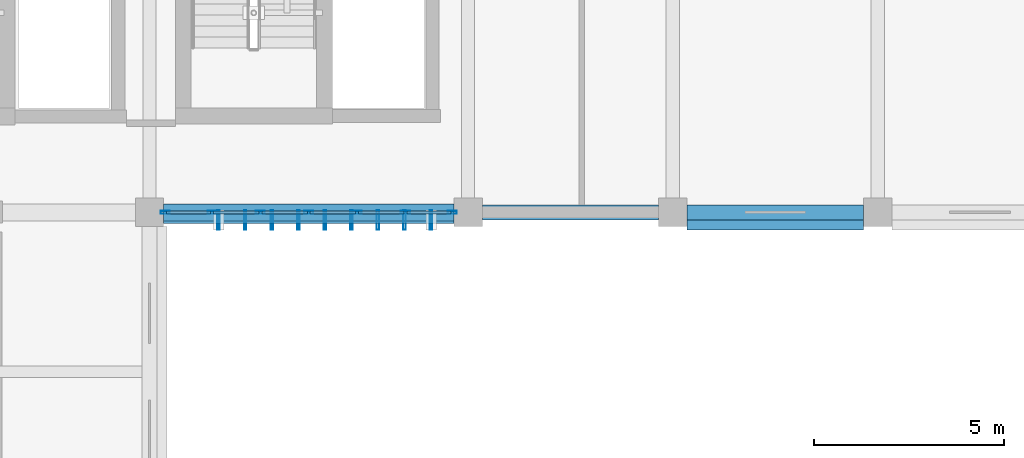
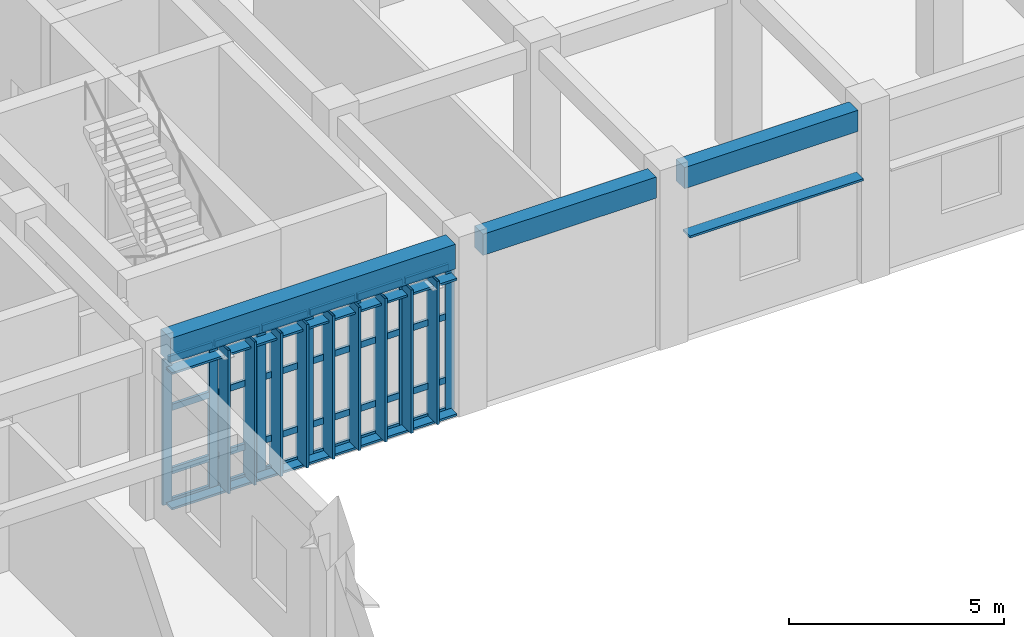
# One storey, part 48 of 93: 43 members, 3 beams, 1 element without a shape of its own.
"""IFC4 building model written with IfcOpenShell, lengths in metres."""

from ifc_helpers import new_model, si_unit, direction, frame, origin, origin_2d, place, context, subcontext, project, spatial, rectangle, hollow_rectangle, extrude, material, layer, layer_set, material_profile, profile_set, type_object, element, aggregate, save


model = new_model("IFC4")

# Units and contexts
model_context = context("Model", 3, precision=1e-05, world=origin(), true_north=direction((0.0, 1.0)))
body_context = subcontext(model_context, "Body", "Model", "MODEL_VIEW")
ifc_project = project(units=[si_unit("LENGTHUNIT", "METRE"), si_unit("AREAUNIT", "SQUARE_METRE"), si_unit("VOLUMEUNIT", "CUBIC_METRE"), si_unit("PLANEANGLEUNIT", "RADIAN"), si_unit("MASSUNIT", "GRAM", prefix="KILO")], contexts=[model_context])

# Site, building, storey
site_placement = place(None, origin())
site = spatial("IfcSite", under=ifc_project, at=site_placement, CompositionType="ELEMENT")
building_placement = place(site_placement, origin())
building = spatial("IfcBuilding", under=site, at=building_placement, Name="Krzemoval Escarpment Law Courts", CompositionType="ELEMENT")
storey_placement = place(building_placement, frame((0.0, 0.0, 10.199951171875)))
storey = spatial("IfcBuildingStorey", under=building, at=storey_placement, Name="L02", CompositionType="ELEMENT", Elevation=10.199951171875)

# Beams
ifc_material_1 = material(Name="Concrete C40/50", Category="concrete")
ifc_material_profile_1 = material_profile(ifc_material_1, rectangle(XDim=0.39990234375, YDim=0.60009765625, at=origin_2d()), Name="RCB 400x600")
ifc_profile_set_1 = profile_set([ifc_material_profile_1], Name="Concrete C40/50")
beam_type_1 = type_object("IfcBeamType", Name="BM-RC-400x600", PredefinedType="BEAM", material=ifc_profile_set_1)
beam_1_placement = place(storey_placement, frame((151.574951171875, 93.60009765625, 4.52001953125), z_axis=(1.0, 0.0, 0.0), x_axis=(0.0, 1.0, 0.0)))
element("IfcBeam", 1, at=beam_1_placement, inside=storey, type_object=beam_type_1, Name="Beam FG-L02-1815", PredefinedType="BEAM", context=body_context, shape_type="SweptSolid", body=[
    extrude(rectangle(XDim=0.39990234375, YDim=0.60009765625, at=origin_2d()), origin(), (0.0, 0.0, 1.0), 4.650146484375),
])
beam_2_placement = place(storey_placement, frame((156.97509765625, 93.60009765625, 4.52001953125), z_axis=(1.0, 0.0, 0.0), x_axis=(0.0, 1.0, 0.0)))
element("IfcBeam", 2, at=beam_2_placement, inside=storey, type_object=beam_type_1, Name="Beam FG-L02-1816", PredefinedType="BEAM", context=body_context, shape_type="SweptSolid", body=[
    extrude(rectangle(XDim=0.39990234375, YDim=0.60009765625, at=origin_2d()), origin(), (0.0, 0.0, 1.0), 4.64990234375),
])
ifc_material_2 = material(Name="Concrete C40/50", Category="concrete")
ifc_material_profile_2 = material_profile(ifc_material_2, rectangle(XDim=0.449951171875, YDim=0.699951171875, at=origin_2d()), Name="RCB 450x700")
ifc_profile_set_2 = profile_set([ifc_material_profile_2], Name="Concrete C40/50")
beam_type_2 = type_object("IfcBeamType", Name="BM-RC-450x700", PredefinedType="BEAM", material=ifc_profile_set_2)
beam_3_placement = place(storey_placement, frame((143.175048828125, 93.60009765625, 4.469970703125), z_axis=(1.0, 0.0, 0.0), x_axis=(0.0, 1.0, 0.0)))
element("IfcBeam", 3, at=beam_3_placement, inside=storey, type_object=beam_type_2, Name="Beam FG-L02-1814", PredefinedType="BEAM", context=body_context, shape_type="SweptSolid", body=[
    extrude(rectangle(XDim=0.449951171875, YDim=0.699951171875, at=origin_2d()), origin(), (0.0, 0.0, 1.0), 7.64990234375),
])

# Curtain wall, members
ifc_material_3 = material(Name="Aluminium 6063-T6", Category="aluminium")
ifc_layer = layer(ifc_material_3, 0.239990234375)
ifc_layer_set = layer_set([ifc_layer], Name="Aluminium 6063-T6")
curtain_wall_type = type_object("IfcCurtainWallType", Name="CW-CHMB-4800", PredefinedType="USERDEFINED", material=ifc_layer_set)
curtain_wall_placement = place(storey_placement, origin())
curtain_wall = element("IfcCurtainWall", 4, at=curtain_wall_placement, inside=storey, type_object=curtain_wall_type, Name="Unitised Curtain Wall FCW-L02-093", ObjectType="UNITISED_CURTAIN_WALL", PredefinedType="USERDEFINED")
ifc_material_4 = material(Name="Aluminium 6063-T6", Category="aluminium")
ifc_material_profile_3 = material_profile(ifc_material_4, hollow_rectangle(XDim=0.074951171875, YDim=0.239990234375, WallThickness=0.0048828125, at=origin_2d()), Name="ALU M75x240")
ifc_profile_set_3 = profile_set([ifc_material_profile_3], Name="Aluminium 6063-T6")
member_type_1 = type_object("IfcMemberType", Name="CWM-75x240", PredefinedType="MULLION", material=ifc_profile_set_3)
member_1_placement = place(storey_placement, frame((150.78759765625, 93.60009765625, 0.0), z_axis=(0.0, 0.0, 1.0), x_axis=(0.0, -1.0, 0.0)))
member_1 = element("IfcMember", 5, at=member_1_placement, type_object=member_type_1, Name="FCW-L02-093 mullion 1", PredefinedType="MULLION", context=body_context, shape_type="SweptSolid", body=[
    extrude(hollow_rectangle(XDim=0.074951171875, YDim=0.239990234375, WallThickness=0.0048828125, at=origin_2d()), origin(), (0.0, 0.0, 1.0), 4.1201171875),
])
member_2_placement = place(storey_placement, frame((149.550048828125, 93.60009765625, 0.0), z_axis=(0.0, 0.0, 1.0), x_axis=(0.0, -1.0, 0.0)))
member_2 = element("IfcMember", 6, at=member_2_placement, type_object=member_type_1, Name="FCW-L02-093 mullion 2", PredefinedType="MULLION", context=body_context, shape_type="SweptSolid", body=[
    extrude(hollow_rectangle(XDim=0.074951171875, YDim=0.239990234375, WallThickness=0.0048828125, at=origin_2d()), origin(), (0.0, 0.0, 1.0), 4.1201171875),
])
member_3_placement = place(storey_placement, frame((148.27490234375, 93.60009765625, 0.0), z_axis=(0.0, 0.0, 1.0), x_axis=(0.0, -1.0, 0.0)))
member_3 = element("IfcMember", 7, at=member_3_placement, type_object=member_type_1, Name="FCW-L02-093 mullion 3", PredefinedType="MULLION", context=body_context, shape_type="SweptSolid", body=[
    extrude(hollow_rectangle(XDim=0.074951171875, YDim=0.239990234375, WallThickness=0.0048828125, at=origin_2d()), origin(), (0.0, 0.0, 1.0), 4.1201171875),
])
member_4_placement = place(storey_placement, frame((147.0, 93.60009765625, 0.0), z_axis=(0.0, 0.0, 1.0), x_axis=(0.0, -1.0, 0.0)))
member_4 = element("IfcMember", 8, at=member_4_placement, type_object=member_type_1, Name="FCW-L02-093 mullion 4", PredefinedType="MULLION", context=body_context, shape_type="SweptSolid", body=[
    extrude(hollow_rectangle(XDim=0.074951171875, YDim=0.239990234375, WallThickness=0.0048828125, at=origin_2d()), origin(), (0.0, 0.0, 1.0), 4.1201171875),
])
member_5_placement = place(storey_placement, frame((145.72509765625, 93.60009765625, 0.0), z_axis=(0.0, 0.0, 1.0), x_axis=(0.0, -1.0, 0.0)))
member_5 = element("IfcMember", 9, at=member_5_placement, type_object=member_type_1, Name="FCW-L02-093 mullion 5", PredefinedType="MULLION", context=body_context, shape_type="SweptSolid", body=[
    extrude(hollow_rectangle(XDim=0.074951171875, YDim=0.239990234375, WallThickness=0.0048828125, at=origin_2d()), origin(), (0.0, 0.0, 1.0), 4.1201171875),
])
member_6_placement = place(storey_placement, frame((144.449951171875, 93.60009765625, 0.0), z_axis=(0.0, 0.0, 1.0), x_axis=(0.0, -1.0, 0.0)))
member_6 = element("IfcMember", 10, at=member_6_placement, type_object=member_type_1, Name="FCW-L02-093 mullion 6", PredefinedType="MULLION", context=body_context, shape_type="SweptSolid", body=[
    extrude(hollow_rectangle(XDim=0.074951171875, YDim=0.239990234375, WallThickness=0.0048828125, at=origin_2d()), origin(), (0.0, 0.0, 1.0), 4.1201171875),
])
member_7_placement = place(storey_placement, frame((143.21240234375, 93.60009765625, 0.0), z_axis=(0.0, 0.0, 1.0), x_axis=(0.0, -1.0, 0.0)))
member_7 = element("IfcMember", 11, at=member_7_placement, type_object=member_type_1, Name="FCW-L02-093 mullion 7", PredefinedType="MULLION", context=body_context, shape_type="SweptSolid", body=[
    extrude(hollow_rectangle(XDim=0.074951171875, YDim=0.239990234375, WallThickness=0.0048828125, at=origin_2d()), origin(), (0.0, 0.0, 1.0), 4.1201171875),
])
ifc_material_5 = material(Name="Aluminium 6063-T6", Category="aluminium")
ifc_material_profile_4 = material_profile(ifc_material_5, hollow_rectangle(XDim=0.074951171875, YDim=0.179931640625, WallThickness=0.0048828125, at=origin_2d()), Name="ALU T75x180")
ifc_profile_set_4 = profile_set([ifc_material_profile_4], Name="Aluminium 6063-T6")
member_type_2 = type_object("IfcMemberType", Name="CWT-75x180", PredefinedType="USERDEFINED", material=ifc_profile_set_4)
member_8_placement = place(storey_placement, frame((150.75, 93.60009765625, 0.03759765625), z_axis=(-1.0, 0.0, 0.0), x_axis=(0.0, -1.0, 0.0)))
member_8 = element("IfcMember", 12, at=member_8_placement, type_object=member_type_2, Name="FCW-L02-093 transom 1.1", ObjectType="TRANSOM", PredefinedType="USERDEFINED", context=body_context, shape_type="SweptSolid", body=[
    extrude(hollow_rectangle(XDim=0.074951171875, YDim=0.179931640625, WallThickness=0.0048828125, at=origin_2d()), origin(), (0.0, 0.0, 1.0), 1.16259765625),
])
member_9_placement = place(storey_placement, frame((150.75, 93.60009765625, 0.900146484375), z_axis=(-1.0, 0.0, 0.0), x_axis=(0.0, -1.0, 0.0)))
member_9 = element("IfcMember", 13, at=member_9_placement, type_object=member_type_2, Name="FCW-L02-093 transom 1.2", ObjectType="TRANSOM", PredefinedType="USERDEFINED", context=body_context, shape_type="SweptSolid", body=[
    extrude(hollow_rectangle(XDim=0.074951171875, YDim=0.179931640625, WallThickness=0.0048828125, at=origin_2d()), origin(), (0.0, 0.0, 1.0), 1.16259765625),
])
member_10_placement = place(storey_placement, frame((150.75, 93.60009765625, 2.699951171875), z_axis=(-1.0, 0.0, 0.0), x_axis=(0.0, -1.0, 0.0)))
member_10 = element("IfcMember", 14, at=member_10_placement, type_object=member_type_2, Name="FCW-L02-093 transom 1.3", ObjectType="TRANSOM", PredefinedType="USERDEFINED", context=body_context, shape_type="SweptSolid", body=[
    extrude(hollow_rectangle(XDim=0.074951171875, YDim=0.179931640625, WallThickness=0.0048828125, at=origin_2d()), origin(), (0.0, 0.0, 1.0), 1.16259765625),
])
member_11_placement = place(storey_placement, frame((150.75, 93.60009765625, 4.08251953125), z_axis=(-1.0, 0.0, 0.0), x_axis=(0.0, -1.0, 0.0)))
member_11 = element("IfcMember", 15, at=member_11_placement, type_object=member_type_2, Name="FCW-L02-093 transom 1.4", ObjectType="TRANSOM", PredefinedType="USERDEFINED", context=body_context, shape_type="SweptSolid", body=[
    extrude(hollow_rectangle(XDim=0.074951171875, YDim=0.179931640625, WallThickness=0.0048828125, at=origin_2d()), origin(), (0.0, 0.0, 1.0), 1.16259765625),
])
member_12_placement = place(storey_placement, frame((149.512451171875, 93.60009765625, 0.03759765625), z_axis=(-1.0, 0.0, 0.0), x_axis=(0.0, -1.0, 0.0)))
member_12 = element("IfcMember", 16, at=member_12_placement, type_object=member_type_2, Name="FCW-L02-093 transom 2.1", ObjectType="TRANSOM", PredefinedType="USERDEFINED", context=body_context, shape_type="SweptSolid", body=[
    extrude(hollow_rectangle(XDim=0.074951171875, YDim=0.179931640625, WallThickness=0.0048828125, at=origin_2d()), origin(), (0.0, 0.0, 1.0), 1.199951171875),
])
member_13_placement = place(storey_placement, frame((149.512451171875, 93.60009765625, 0.900146484375), z_axis=(-1.0, 0.0, 0.0), x_axis=(0.0, -1.0, 0.0)))
member_13 = element("IfcMember", 17, at=member_13_placement, type_object=member_type_2, Name="FCW-L02-093 transom 2.2", ObjectType="TRANSOM", PredefinedType="USERDEFINED", context=body_context, shape_type="SweptSolid", body=[
    extrude(hollow_rectangle(XDim=0.074951171875, YDim=0.179931640625, WallThickness=0.0048828125, at=origin_2d()), origin(), (0.0, 0.0, 1.0), 1.199951171875),
])
member_14_placement = place(storey_placement, frame((149.512451171875, 93.60009765625, 2.699951171875), z_axis=(-1.0, 0.0, 0.0), x_axis=(0.0, -1.0, 0.0)))
member_14 = element("IfcMember", 18, at=member_14_placement, type_object=member_type_2, Name="FCW-L02-093 transom 2.3", ObjectType="TRANSOM", PredefinedType="USERDEFINED", context=body_context, shape_type="SweptSolid", body=[
    extrude(hollow_rectangle(XDim=0.074951171875, YDim=0.179931640625, WallThickness=0.0048828125, at=origin_2d()), origin(), (0.0, 0.0, 1.0), 1.199951171875),
])
member_15_placement = place(storey_placement, frame((149.512451171875, 93.60009765625, 4.08251953125), z_axis=(-1.0, 0.0, 0.0), x_axis=(0.0, -1.0, 0.0)))
member_15 = element("IfcMember", 19, at=member_15_placement, type_object=member_type_2, Name="FCW-L02-093 transom 2.4", ObjectType="TRANSOM", PredefinedType="USERDEFINED", context=body_context, shape_type="SweptSolid", body=[
    extrude(hollow_rectangle(XDim=0.074951171875, YDim=0.179931640625, WallThickness=0.0048828125, at=origin_2d()), origin(), (0.0, 0.0, 1.0), 1.199951171875),
])
member_16_placement = place(storey_placement, frame((148.237548828125, 93.60009765625, 0.03759765625), z_axis=(-1.0, 0.0, 0.0), x_axis=(0.0, -1.0, 0.0)))
member_16 = element("IfcMember", 20, at=member_16_placement, type_object=member_type_2, Name="FCW-L02-093 transom 3.1", ObjectType="TRANSOM", PredefinedType="USERDEFINED", context=body_context, shape_type="SweptSolid", body=[
    extrude(hollow_rectangle(XDim=0.074951171875, YDim=0.179931640625, WallThickness=0.0048828125, at=origin_2d()), origin(), (0.0, 0.0, 1.0), 1.199951171875),
])
member_17_placement = place(storey_placement, frame((148.237548828125, 93.60009765625, 0.900146484375), z_axis=(-1.0, 0.0, 0.0), x_axis=(0.0, -1.0, 0.0)))
member_17 = element("IfcMember", 21, at=member_17_placement, type_object=member_type_2, Name="FCW-L02-093 transom 3.2", ObjectType="TRANSOM", PredefinedType="USERDEFINED", context=body_context, shape_type="SweptSolid", body=[
    extrude(hollow_rectangle(XDim=0.074951171875, YDim=0.179931640625, WallThickness=0.0048828125, at=origin_2d()), origin(), (0.0, 0.0, 1.0), 1.199951171875),
])
member_18_placement = place(storey_placement, frame((148.237548828125, 93.60009765625, 2.699951171875), z_axis=(-1.0, 0.0, 0.0), x_axis=(0.0, -1.0, 0.0)))
member_18 = element("IfcMember", 22, at=member_18_placement, type_object=member_type_2, Name="FCW-L02-093 transom 3.3", ObjectType="TRANSOM", PredefinedType="USERDEFINED", context=body_context, shape_type="SweptSolid", body=[
    extrude(hollow_rectangle(XDim=0.074951171875, YDim=0.179931640625, WallThickness=0.0048828125, at=origin_2d()), origin(), (0.0, 0.0, 1.0), 1.199951171875),
])
member_19_placement = place(storey_placement, frame((148.237548828125, 93.60009765625, 4.08251953125), z_axis=(-1.0, 0.0, 0.0), x_axis=(0.0, -1.0, 0.0)))
member_19 = element("IfcMember", 23, at=member_19_placement, type_object=member_type_2, Name="FCW-L02-093 transom 3.4", ObjectType="TRANSOM", PredefinedType="USERDEFINED", context=body_context, shape_type="SweptSolid", body=[
    extrude(hollow_rectangle(XDim=0.074951171875, YDim=0.179931640625, WallThickness=0.0048828125, at=origin_2d()), origin(), (0.0, 0.0, 1.0), 1.199951171875),
])
member_20_placement = place(storey_placement, frame((146.96240234375, 93.60009765625, 0.03759765625), z_axis=(-1.0, 0.0, 0.0), x_axis=(0.0, -1.0, 0.0)))
member_20 = element("IfcMember", 24, at=member_20_placement, type_object=member_type_2, Name="FCW-L02-093 transom 4.1", ObjectType="TRANSOM", PredefinedType="USERDEFINED", context=body_context, shape_type="SweptSolid", body=[
    extrude(hollow_rectangle(XDim=0.074951171875, YDim=0.179931640625, WallThickness=0.0048828125, at=origin_2d()), origin(), (0.0, 0.0, 1.0), 1.199951171875),
])
member_21_placement = place(storey_placement, frame((146.96240234375, 93.60009765625, 0.900146484375), z_axis=(-1.0, 0.0, 0.0), x_axis=(0.0, -1.0, 0.0)))
member_21 = element("IfcMember", 25, at=member_21_placement, type_object=member_type_2, Name="FCW-L02-093 transom 4.2", ObjectType="TRANSOM", PredefinedType="USERDEFINED", context=body_context, shape_type="SweptSolid", body=[
    extrude(hollow_rectangle(XDim=0.074951171875, YDim=0.179931640625, WallThickness=0.0048828125, at=origin_2d()), origin(), (0.0, 0.0, 1.0), 1.199951171875),
])
member_22_placement = place(storey_placement, frame((146.96240234375, 93.60009765625, 2.699951171875), z_axis=(-1.0, 0.0, 0.0), x_axis=(0.0, -1.0, 0.0)))
member_22 = element("IfcMember", 26, at=member_22_placement, type_object=member_type_2, Name="FCW-L02-093 transom 4.3", ObjectType="TRANSOM", PredefinedType="USERDEFINED", context=body_context, shape_type="SweptSolid", body=[
    extrude(hollow_rectangle(XDim=0.074951171875, YDim=0.179931640625, WallThickness=0.0048828125, at=origin_2d()), origin(), (0.0, 0.0, 1.0), 1.199951171875),
])
member_23_placement = place(storey_placement, frame((146.96240234375, 93.60009765625, 4.08251953125), z_axis=(-1.0, 0.0, 0.0), x_axis=(0.0, -1.0, 0.0)))
member_23 = element("IfcMember", 27, at=member_23_placement, type_object=member_type_2, Name="FCW-L02-093 transom 4.4", ObjectType="TRANSOM", PredefinedType="USERDEFINED", context=body_context, shape_type="SweptSolid", body=[
    extrude(hollow_rectangle(XDim=0.074951171875, YDim=0.179931640625, WallThickness=0.0048828125, at=origin_2d()), origin(), (0.0, 0.0, 1.0), 1.199951171875),
])
member_24_placement = place(storey_placement, frame((145.6875, 93.60009765625, 0.03759765625), z_axis=(-1.0, 0.0, 0.0), x_axis=(0.0, -1.0, 0.0)))
member_24 = element("IfcMember", 28, at=member_24_placement, type_object=member_type_2, Name="FCW-L02-093 transom 5.1", ObjectType="TRANSOM", PredefinedType="USERDEFINED", context=body_context, shape_type="SweptSolid", body=[
    extrude(hollow_rectangle(XDim=0.074951171875, YDim=0.179931640625, WallThickness=0.0048828125, at=origin_2d()), origin(), (0.0, 0.0, 1.0), 1.199951171875),
])
member_25_placement = place(storey_placement, frame((145.6875, 93.60009765625, 0.900146484375), z_axis=(-1.0, 0.0, 0.0), x_axis=(0.0, -1.0, 0.0)))
member_25 = element("IfcMember", 29, at=member_25_placement, type_object=member_type_2, Name="FCW-L02-093 transom 5.2", ObjectType="TRANSOM", PredefinedType="USERDEFINED", context=body_context, shape_type="SweptSolid", body=[
    extrude(hollow_rectangle(XDim=0.074951171875, YDim=0.179931640625, WallThickness=0.0048828125, at=origin_2d()), origin(), (0.0, 0.0, 1.0), 1.199951171875),
])
member_26_placement = place(storey_placement, frame((145.6875, 93.60009765625, 2.699951171875), z_axis=(-1.0, 0.0, 0.0), x_axis=(0.0, -1.0, 0.0)))
member_26 = element("IfcMember", 30, at=member_26_placement, type_object=member_type_2, Name="FCW-L02-093 transom 5.3", ObjectType="TRANSOM", PredefinedType="USERDEFINED", context=body_context, shape_type="SweptSolid", body=[
    extrude(hollow_rectangle(XDim=0.074951171875, YDim=0.179931640625, WallThickness=0.0048828125, at=origin_2d()), origin(), (0.0, 0.0, 1.0), 1.199951171875),
])
member_27_placement = place(storey_placement, frame((145.6875, 93.60009765625, 4.08251953125), z_axis=(-1.0, 0.0, 0.0), x_axis=(0.0, -1.0, 0.0)))
member_27 = element("IfcMember", 31, at=member_27_placement, type_object=member_type_2, Name="FCW-L02-093 transom 5.4", ObjectType="TRANSOM", PredefinedType="USERDEFINED", context=body_context, shape_type="SweptSolid", body=[
    extrude(hollow_rectangle(XDim=0.074951171875, YDim=0.179931640625, WallThickness=0.0048828125, at=origin_2d()), origin(), (0.0, 0.0, 1.0), 1.199951171875),
])
member_28_placement = place(storey_placement, frame((144.41259765625, 93.60009765625, 0.03759765625), z_axis=(-1.0, 0.0, 0.0), x_axis=(0.0, -1.0, 0.0)))
member_28 = element("IfcMember", 32, at=member_28_placement, type_object=member_type_2, Name="FCW-L02-093 transom 6.1", ObjectType="TRANSOM", PredefinedType="USERDEFINED", context=body_context, shape_type="SweptSolid", body=[
    extrude(hollow_rectangle(XDim=0.074951171875, YDim=0.179931640625, WallThickness=0.0048828125, at=origin_2d()), origin(), (0.0, 0.0, 1.0), 1.16259765625),
])
member_29_placement = place(storey_placement, frame((144.41259765625, 93.60009765625, 0.900146484375), z_axis=(-1.0, 0.0, 0.0), x_axis=(0.0, -1.0, 0.0)))
member_29 = element("IfcMember", 33, at=member_29_placement, type_object=member_type_2, Name="FCW-L02-093 transom 6.2", ObjectType="TRANSOM", PredefinedType="USERDEFINED", context=body_context, shape_type="SweptSolid", body=[
    extrude(hollow_rectangle(XDim=0.074951171875, YDim=0.179931640625, WallThickness=0.0048828125, at=origin_2d()), origin(), (0.0, 0.0, 1.0), 1.16259765625),
])
member_30_placement = place(storey_placement, frame((144.41259765625, 93.60009765625, 2.699951171875), z_axis=(-1.0, 0.0, 0.0), x_axis=(0.0, -1.0, 0.0)))
member_30 = element("IfcMember", 34, at=member_30_placement, type_object=member_type_2, Name="FCW-L02-093 transom 6.3", ObjectType="TRANSOM", PredefinedType="USERDEFINED", context=body_context, shape_type="SweptSolid", body=[
    extrude(hollow_rectangle(XDim=0.074951171875, YDim=0.179931640625, WallThickness=0.0048828125, at=origin_2d()), origin(), (0.0, 0.0, 1.0), 1.16259765625),
])
member_31_placement = place(storey_placement, frame((144.41259765625, 93.60009765625, 4.08251953125), z_axis=(-1.0, 0.0, 0.0), x_axis=(0.0, -1.0, 0.0)))
member_31 = element("IfcMember", 35, at=member_31_placement, type_object=member_type_2, Name="FCW-L02-093 transom 6.4", ObjectType="TRANSOM", PredefinedType="USERDEFINED", context=body_context, shape_type="SweptSolid", body=[
    extrude(hollow_rectangle(XDim=0.074951171875, YDim=0.179931640625, WallThickness=0.0048828125, at=origin_2d()), origin(), (0.0, 0.0, 1.0), 1.16259765625),
])
aggregate(curtain_wall, [member_1, member_2, member_3, member_4, member_5, member_6, member_7, member_8, member_9, member_10, member_11, member_12, member_13, member_14, member_15, member_16, member_17, member_18, member_19, member_20, member_21, member_22, member_23, member_24, member_25, member_26, member_27, member_28, member_29, member_30, member_31])

# Members
ifc_material_6 = material(Name="Anodised Aluminium Alloy 6063-T6", Category="aluminium")
ifc_material_profile_5 = material_profile(ifc_material_6, hollow_rectangle(XDim=0.06005859375, YDim=0.320068359375, WallThickness=0.00390625, at=origin_2d()), Name="ALU LVR 60x320")
ifc_profile_set_5 = profile_set([ifc_material_profile_5], Name="Anodised Aluminium Alloy 6063-T6")
member_type_3 = type_object("IfcMemberType", Name="LVR-ALU-320", PredefinedType="USERDEFINED", material=ifc_profile_set_5)
member_32_placement = place(storey_placement, frame((161.625, 93.300048828125, 3.010009765625), z_axis=(-1.0, 0.0, 0.0), x_axis=(0.0, 0.0, 1.0)))
element("IfcMember", 36, at=member_32_placement, inside=storey, type_object=member_type_3, Name="Window Sunshade Louvre FLV-L02-0572", ObjectType="SUNSHADE_LOUVRE", PredefinedType="USERDEFINED", context=body_context, shape_type="SweptSolid", body=[
    extrude(hollow_rectangle(XDim=0.06005859375, YDim=0.320068359375, WallThickness=0.00390625, at=origin_2d()), origin(), (0.0, 0.0, 1.0), 4.64990234375),
])
for number, where, z_axis, x_axis, name in (
    (37, (150.824951171875, 93.4599609375, 0.030029296875), (-1.0, 0.0, 0.0), (0.0, 0.0, 1.0), "Sunshade Support Rail FSR-L02-0573"),
    (38, (150.824951171875, 93.4599609375, 3.8701171875), (-1.0, 0.0, 0.0), (0.0, 0.0, 1.0), "Sunshade Support Rail FSR-L02-0574"),
):
    element("IfcMember", number, at=place(storey_placement, frame(where, z_axis=z_axis, x_axis=x_axis)), inside=storey, type_object=member_type_3, Name=name, ObjectType="SUNSHADE_LOUVRE", PredefinedType="USERDEFINED", context=body_context, shape_type="SweptSolid", body=[
        extrude(hollow_rectangle(XDim=0.06005859375, YDim=0.320068359375, WallThickness=0.00390625, at=origin_2d()), origin(), (0.0, 0.0, 1.0), 7.64990234375),
    ])
ifc_material_7 = material(Name="Anodised Aluminium Alloy 6063-T6", Category="aluminium")
ifc_material_profile_6 = material_profile(ifc_material_7, hollow_rectangle(XDim=0.06494140625, YDim=0.52001953125, WallThickness=0.00439453125, at=origin_2d()), Name="ALU LVR 65x520")
ifc_profile_set_6 = profile_set([ifc_material_profile_6], Name="Anodised Aluminium Alloy 6063-T6")
member_type_4 = type_object("IfcMemberType", Name="LVR-ALU-520", PredefinedType="USERDEFINED", material=ifc_profile_set_6)
for number, where, z_axis, x_axis, name in (
    (39, (150.22509765625, 93.39990234375, 0.06005859375), (0.0, 0.0, 1.0), (1.0, 0.0, 0.0), "Sunshade Louvre Fin FLV-L02-0575"),
    (40, (149.52490234375, 93.39990234375, 0.06005859375), (0.0, 0.0, 1.0), (1.0, 0.0, 0.0), "Sunshade Louvre Fin FLV-L02-0576"),
    (41, (148.824951171875, 93.39990234375, 0.06005859375), (0.0, 0.0, 1.0), (1.0, 0.0, 0.0), "Sunshade Louvre Fin FLV-L02-0577"),
    (42, (148.125, 93.39990234375, 0.06005859375), (0.0, 0.0, 1.0), (1.0, 0.0, 0.0), "Sunshade Louvre Fin FLV-L02-0578"),
    (43, (147.425048828125, 93.39990234375, 0.06005859375), (0.0, 0.0, 1.0), (1.0, 0.0, 0.0), "Sunshade Louvre Fin FLV-L02-0579"),
    (44, (146.72509765625, 93.39990234375, 0.06005859375), (0.0, 0.0, 1.0), (1.0, 0.0, 0.0), "Sunshade Louvre Fin FLV-L02-0580"),
    (45, (146.02490234375, 93.39990234375, 0.06005859375), (0.0, 0.0, 1.0), (1.0, 0.0, 0.0), "Sunshade Louvre Fin FLV-L02-0581"),
    (46, (145.324951171875, 93.39990234375, 0.06005859375), (0.0, 0.0, 1.0), (1.0, 0.0, 0.0), "Sunshade Louvre Fin FLV-L02-0582"),
    (47, (144.625, 93.39990234375, 0.06005859375), (0.0, 0.0, 1.0), (1.0, 0.0, 0.0), "Sunshade Louvre Fin FLV-L02-0583"),
):
    element("IfcMember", number, at=place(storey_placement, frame(where, z_axis=z_axis, x_axis=x_axis)), inside=storey, type_object=member_type_4, Name=name, ObjectType="SUNSHADE_LOUVRE", PredefinedType="USERDEFINED", context=body_context, shape_type="SweptSolid", body=[
        extrude(hollow_rectangle(XDim=0.06494140625, YDim=0.52001953125, WallThickness=0.00439453125, at=origin_2d()), origin(), (0.0, 0.0, 1.0), 4.06005859375),
    ])

save(model, "model.ifc")
